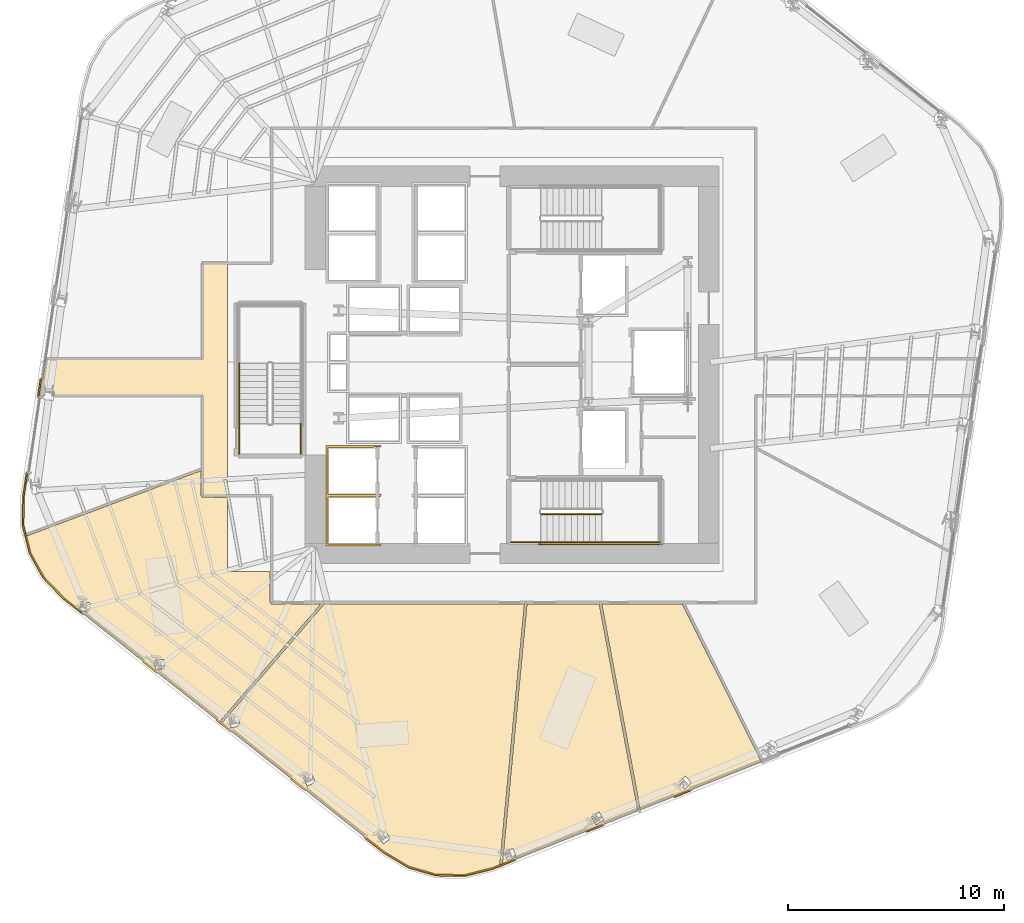
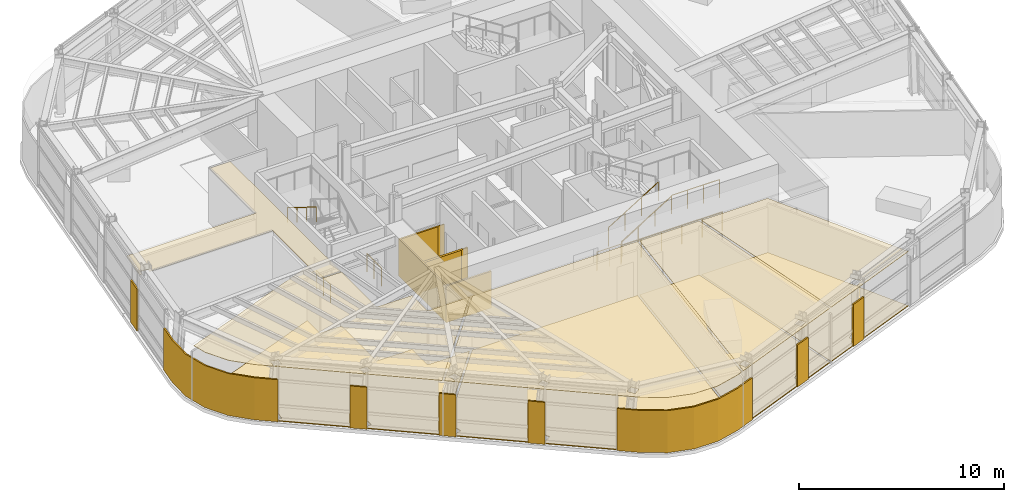
# One storey, part 11 of 17: 18 coverings, 8 railings.
"""IFC4 building model written with IfcOpenShell, lengths in metres."""

from ifc_helpers import new_model, si_unit, direction, frame, origin, origin_2d, place, context, subcontext, project, spatial, polyline, circle, outline, extrude, material, layer, layer_set, type_object, element, save


model = new_model("IFC4")

# Units and contexts
model_context = context("Model", 3, precision=1e-05, world=origin(), true_north=direction((0.0, 1.0)))
body_context = subcontext(model_context, "Body", "Model", "MODEL_VIEW")
ifc_project = project(units=[si_unit("LENGTHUNIT", "METRE"), si_unit("AREAUNIT", "SQUARE_METRE"), si_unit("VOLUMEUNIT", "CUBIC_METRE"), si_unit("PLANEANGLEUNIT", "RADIAN"), si_unit("MASSUNIT", "GRAM", prefix="KILO")], contexts=[model_context])

# Site, building, storey
site_placement = place(None, origin())
site = spatial("IfcSite", under=ifc_project, at=site_placement, CompositionType="ELEMENT")
building_placement = place(site_placement, origin())
building = spatial("IfcBuilding", under=site, at=building_placement, Name="Valkerne Bourse Tower", CompositionType="ELEMENT")
storey_placement = place(building_placement, frame((0.0, 0.0, 116.199951171875)))
storey = spatial("IfcBuildingStorey", under=building, at=storey_placement, Name="L29", CompositionType="ELEMENT", Elevation=116.199951171875)

# Coverings
ifc_material_1 = material(Name="Mineral Fiber Acoustic Ceiling Tile", Category="acoustic")
ifc_layer_1 = layer(ifc_material_1, 0.02490234375)
ifc_layer_set_1 = layer_set([ifc_layer_1], Name="Mineral Fiber Acoustic Ceiling Tile")
covering_type_1 = type_object("IfcCoveringType", Name="COV-CEIL-ACT", PredefinedType="CEILING", material=ifc_layer_set_1)
covering_1_placement = place(storey_placement, frame((0.0, 0.0, 3.22998046875)))
element("IfcCovering", 1, at=covering_1_placement, inside=storey, type_object=covering_type_1, Name="L29 Suspended Ceiling 03", PredefinedType="CEILING", context=body_context, shape_type="SweptSolid", body=[
    extrude(outline(polyline([(54.702880859375, 15.781005859375), (58.373291015625, 8.451416015625), (52.753662109375, 6.226318359375), (50.965576171875, 15.781005859375), (54.702880859375, 15.781005859375)]), holes=[polyline([(55.1259765625, 7.498046875), (54.8388671875, 7.7998046875), (54.8359375, 7.798583984375), (54.524658203125, 7.5009765625), (54.81201171875, 7.19921875), (54.814697265625, 7.2001953125), (55.1259765625, 7.498046875)])]), origin(), (0.0, 0.0, 1.0), 0.025146484375),
])
covering_2_placement = place(storey_placement, frame((0.0, 0.0, 3.22998046875)))
element("IfcCovering", 2, at=covering_2_placement, inside=storey, type_object=covering_type_1, Name="L29 Suspended Ceiling 05", PredefinedType="CEILING", context=body_context, shape_type="SweptSolid", body=[
    extrude(outline(polyline([(50.845458984375, 15.781005859375), (52.641845703125, 6.181884765625), (46.35205078125, 3.691650390625), (47.494873046875, 15.781005859375), (50.845458984375, 15.781005859375)]), holes=[polyline([(46.99609375, 4.046630859375), (46.846923828125, 4.435546875), (46.843505859375, 4.435546875), (46.442138671875, 4.2802734375), (46.59130859375, 3.89111328125), (46.5947265625, 3.89111328125), (46.99609375, 4.046630859375)]), polyline([(51.06640625, 5.768798828125), (50.8466796875, 6.122802734375), (50.843505859375, 6.122314453125), (50.478271484375, 5.89404296875), (50.697998046875, 5.5400390625), (50.701171875, 5.54052734375), (51.06640625, 5.768798828125)])]), origin(), (0.0, 0.0, 1.0), 0.025146484375),
])
covering_3_placement = place(storey_placement, frame((0.0, 0.0, 3.22998046875)))
element("IfcCovering", 3, at=covering_3_placement, inside=storey, type_object=covering_type_1, Name="L29 Suspended Ceiling 06", PredefinedType="CEILING", context=body_context, shape_type="SweptSolid", body=[
    extrude(outline(polyline([(24.4384765625, 18.146484375), (24.2431640625, 18.92431640625), (32.381103515625, 21.968994140625), (32.381103515625, 20.796630859375), (32.39404296875, 20.75927734375), (32.42626953125, 20.735107421875), (33.60009765625, 20.7333984375), (33.60009765625, 17.300048828125), (35.5810546875, 17.300048828125), (35.5810546875, 15.849365234375), (35.59814453125, 15.80419921875), (35.62109375, 15.787353515625), (35.649658203125, 15.781005859375), (37.93212890625, 15.781005859375), (33.230712890625, 10.312255859375), (26.005126953125, 16.0390625), (25.080322265625, 16.993408203125), (24.4384765625, 18.146484375)]), holes=[polyline([(30.669189453125, 12.766357421875), (30.65576171875, 13.197265625), (30.65380859375, 13.19970703125), (30.23779296875, 13.18505859375), (30.251220703125, 12.754150390625), (30.25341796875, 12.751708984375), (30.669189453125, 12.766357421875)]), polyline([(27.222900390625, 15.831298828125), (27.22119140625, 15.833984375), (26.809814453125, 15.897705078125), (26.7421875, 15.47216796875), (26.743896484375, 15.46923828125), (27.155029296875, 15.405517578125), (27.222900390625, 15.831298828125)])]), origin(), (0.0, 0.0, 1.0), 0.025146484375),
])
covering_4_placement = place(storey_placement, frame((0.0, 0.0, 3.22998046875)))
element("IfcCovering", 4, at=covering_4_placement, inside=storey, type_object=covering_type_1, Name="L29 Suspended Ceiling 09", PredefinedType="CEILING", context=body_context, shape_type="SweptSolid", body=[
    extrude(outline(polyline([(43.28662109375, 3.207763671875), (42.017578125, 3.569091796875), (40.877197265625, 4.251708984375), (33.3232421875, 10.23876953125), (38.087646484375, 15.781005859375), (47.376220703125, 15.781005859375), (46.22900390625, 3.642822265625), (45.89501953125, 3.5107421875), (44.60595703125, 3.18701171875), (43.28662109375, 3.207763671875)]), holes=[polyline([(37.492919921875, 7.9072265625), (37.490234375, 7.90869140625), (37.114501953125, 7.7294921875), (37.298583984375, 7.339599609375), (37.301513671875, 7.338134765625), (37.67724609375, 7.517578125), (37.492919921875, 7.9072265625)]), polyline([(34.07763671875, 10.5576171875), (34.0751953125, 10.5595703125), (33.6708984375, 10.460693359375), (33.771728515625, 10.04150390625), (33.774169921875, 10.03955078125), (34.1787109375, 10.138427734375), (34.07763671875, 10.5576171875)]), polyline([(40.9091796875, 5.244384765625), (40.906005859375, 5.245361328125), (40.57080078125, 4.99853515625), (40.82470703125, 4.650390625), (40.827880859375, 4.6494140625), (41.1630859375, 4.896240234375), (40.9091796875, 5.244384765625)])]), origin(), (0.0, 0.0, 1.0), 0.025146484375),
])
ifc_material_2 = material(Name="Bronze Anodised Aluminium AA 6063-T6", Category="aluminium")
ifc_layer_2 = layer(ifc_material_2, 0.030029296875)
ifc_layer_set_2 = layer_set([ifc_layer_2], Name="Bronze Anodised Aluminium AA 6063-T6")
covering_type_2 = type_object("IfcCoveringType", Name="COV-CEIL-METAL", PredefinedType="CEILING", material=ifc_layer_set_2)
covering_5_placement = place(storey_placement, frame((0.0, 0.0, 3.22998046875)))
element("IfcCovering", 5, at=covering_5_placement, inside=storey, type_object=covering_type_2, Name="L29 Suspended Ceiling 02", PredefinedType="CEILING", context=body_context, shape_type="SweptSolid", body=[
    extrude(outline(polyline([(32.4541015625, 20.803955078125), (32.4541015625, 25.4541015625), (25.5341796875, 25.4541015625), (25.549560546875, 25.644287109375), (25.54931640625, 25.647216796875), (25.11865234375, 25.681640625), (25.10009765625, 25.4541015625), (24.973388671875, 25.4541015625), (25.223388671875, 27.14599609375), (32.4541015625, 27.14599609375), (32.4541015625, 31.595947265625), (33.60009765625, 31.595947265625), (33.60009765625, 20.803955078125), (32.4541015625, 20.803955078125)])), origin(), (0.0, 0.0, 1.0), 0.025146484375),
])
ifc_layer_3 = layer(ifc_material_2, 0.06005859375)
ifc_layer_set_3 = layer_set([ifc_layer_3], Name="Bronze Anodised Aluminium AA 6063-T6")
covering_type_3 = type_object("IfcCoveringType", Name="COV-CRN-ALUM", PredefinedType="CLADDING", material=ifc_layer_set_3)
covering_6_placement = place(storey_placement, origin())
element("IfcCovering", 6, at=covering_6_placement, inside=storey, type_object=covering_type_3, Name="L29 Wind-Shaped Corner Aluminium Cladding 03", PredefinedType="CLADDING", context=body_context, shape_type="SweptSolid", body=[
    extrude(outline(polyline([(54.3427734375, 6.80810546875), (54.3134765625, 6.882568359375), (55.094482421875, 7.191650390625), (55.123779296875, 7.117431640625), (54.3427734375, 6.80810546875)])), origin(), (0.0, 0.0, 1.0), 2.5),
])
covering_7_placement = place(storey_placement, origin())
element("IfcCovering", 7, at=covering_7_placement, inside=storey, type_object=covering_type_3, Name="L29 Wind-Shaped Corner Aluminium Cladding 04", PredefinedType="CLADDING", context=body_context, shape_type="SweptSolid", body=[
    extrude(outline(polyline([(50.267578125, 5.194580078125), (50.238037109375, 5.26904296875), (51.019287109375, 5.578369140625), (51.048583984375, 5.50390625), (50.267578125, 5.194580078125)])), origin(), (0.0, 0.0, 1.0), 2.5),
])
covering_8_placement = place(storey_placement, origin())
element("IfcCovering", 8, at=covering_8_placement, inside=storey, type_object=covering_type_3, Name="L29 Wind-Shaped Corner Aluminium Cladding 05", PredefinedType="CLADDING", context=body_context, shape_type="SweptSolid", body=[
    extrude(outline(polyline([(45.90869140625, 3.46875), (44.611083984375, 3.142822265625), (43.280029296875, 3.163818359375), (42.0, 3.528564453125), (40.85205078125, 4.21533203125), (39.95458984375, 4.9267578125), (40.00439453125, 4.989501953125), (40.897705078125, 4.281494140625), (42.031982421875, 3.6025390625), (43.2919921875, 3.24365234375), (44.601806640625, 3.222900390625), (45.884033203125, 3.545166015625), (46.944091796875, 3.96484375), (46.973388671875, 3.890380859375), (45.90869140625, 3.46875)])), origin(), (0.0, 0.0, 1.0), 2.5),
])
covering_9_placement = place(storey_placement, origin())
element("IfcCovering", 9, at=covering_9_placement, inside=storey, type_object=covering_type_3, Name="L29 Wind-Shaped Corner Aluminium Cladding 06", PredefinedType="CLADDING", context=body_context, shape_type="SweptSolid", body=[
    extrude(outline(polyline([(36.519775390625, 7.6494140625), (36.5693359375, 7.7119140625), (37.2275390625, 7.190185546875), (37.177978515625, 7.12744140625), (36.519775390625, 7.6494140625)])), origin(), (0.0, 0.0, 1.0), 2.5),
])
covering_10_placement = place(storey_placement, origin())
element("IfcCovering", 10, at=covering_10_placement, inside=storey, type_object=covering_type_3, Name="L29 Wind-Shaped Corner Aluminium Cladding 07", PredefinedType="CLADDING", context=body_context, shape_type="SweptSolid", body=[
    extrude(outline(polyline([(33.084716796875, 10.371826171875), (33.134521484375, 10.4345703125), (33.792724609375, 9.91259765625), (33.742919921875, 9.85009765625), (33.084716796875, 10.371826171875)])), origin(), (0.0, 0.0, 1.0), 2.5),
])
covering_11_placement = place(storey_placement, origin())
element("IfcCovering", 11, at=covering_11_placement, inside=storey, type_object=covering_type_3, Name="L29 Wind-Shaped Corner Aluminium Cladding 08", PredefinedType="CLADDING", context=body_context, shape_type="SweptSolid", body=[
    extrude(outline(polyline([(29.64990234375, 13.09423828125), (29.699462890625, 13.156982421875), (30.35791015625, 12.63525390625), (30.30810546875, 12.572509765625), (29.64990234375, 13.09423828125)])), origin(), (0.0, 0.0, 1.0), 2.5),
])
covering_12_placement = place(storey_placement, origin())
element("IfcCovering", 12, at=covering_12_placement, inside=storey, type_object=covering_type_3, Name="L29 Wind-Shaped Corner Aluminium Cladding 09", PredefinedType="CLADDING", context=body_context, shape_type="SweptSolid", body=[
    extrude(outline(polyline([(25.9755859375, 16.00634765625), (25.044677734375, 16.967041015625), (24.397216796875, 18.130126953125), (24.072998046875, 19.421142578125), (24.093994140625, 20.7587890625), (24.261474609375, 21.8916015625), (24.340576171875, 21.880126953125), (24.174072265625, 20.752197265625), (24.1533203125, 19.430419921875), (24.472412109375, 18.159912109375), (25.109619140625, 17.01513671875), (26.029541015625, 16.06591796875), (26.9228515625, 15.357666015625), (26.873291015625, 15.294921875), (25.9755859375, 16.00634765625)])), origin(), (0.0, 0.0, 1.0), 2.5),
])
covering_13_placement = place(storey_placement, origin())
element("IfcCovering", 13, at=covering_13_placement, inside=storey, type_object=covering_type_3, Name="L29 Wind-Shaped Corner Aluminium Cladding 10", PredefinedType="CLADDING", context=body_context, shape_type="SweptSolid", body=[
    extrude(outline(polyline([(24.901611328125, 26.227783203125), (24.980712890625, 26.216064453125), (24.858154296875, 25.385009765625), (24.779052734375, 25.396728515625), (24.901611328125, 26.227783203125)])), origin(), (0.0, 0.0, 1.0), 2.5),
])
ifc_material_3 = material(Name="Galvanised Painted Steel", Category="steel")
ifc_layer_4 = layer(ifc_material_3, 0.044921875)
ifc_layer_set_4 = layer_set([ifc_layer_4], Name="Galvanised Painted Steel")
covering_type_4 = type_object("IfcCoveringType", Name="COV-FLR-RAF", PredefinedType="FLOORING", material=ifc_layer_set_4)
covering_14_placement = place(storey_placement, origin())
element("IfcCovering", 14, at=covering_14_placement, inside=storey, type_object=covering_type_4, Name="L29 Floor Finish 05", PredefinedType="FLOORING", context=body_context, shape_type="SweptSolid", body=[
    extrude(outline(polyline([(50.845458984375, 15.781005859375), (52.641845703125, 6.181884765625), (46.35205078125, 3.691650390625), (47.494873046875, 15.781005859375), (50.845458984375, 15.781005859375)]), holes=[polyline([(46.99609375, 4.046630859375), (46.846923828125, 4.435546875), (46.843505859375, 4.435546875), (46.442138671875, 4.2802734375), (46.59130859375, 3.89111328125), (46.5947265625, 3.89111328125), (46.99609375, 4.046630859375)]), polyline([(51.06640625, 5.768798828125), (50.8466796875, 6.122802734375), (50.843505859375, 6.122314453125), (50.478271484375, 5.89404296875), (50.697998046875, 5.5400390625), (50.701171875, 5.54052734375), (51.06640625, 5.768798828125)])]), origin(), (0.0, 0.0, 1.0), 0.045166015625),
])
covering_15_placement = place(storey_placement, origin())
element("IfcCovering", 15, at=covering_15_placement, inside=storey, type_object=covering_type_4, Name="L29 Floor Finish 06", PredefinedType="FLOORING", context=body_context, shape_type="SweptSolid", body=[
    extrude(outline(polyline([(24.4384765625, 18.146484375), (24.2431640625, 18.92431640625), (32.381103515625, 21.968994140625), (32.381103515625, 20.796630859375), (32.39404296875, 20.75927734375), (32.42626953125, 20.735107421875), (33.60009765625, 20.7333984375), (33.60009765625, 17.300048828125), (35.5810546875, 17.300048828125), (35.5810546875, 15.849365234375), (35.59814453125, 15.80419921875), (35.62109375, 15.787353515625), (35.649658203125, 15.781005859375), (37.93212890625, 15.781005859375), (33.230712890625, 10.312255859375), (26.005126953125, 16.0390625), (25.080322265625, 16.993408203125), (24.4384765625, 18.146484375)]), holes=[polyline([(30.669189453125, 12.766357421875), (30.65576171875, 13.197265625), (30.65380859375, 13.19970703125), (30.23779296875, 13.18505859375), (30.251220703125, 12.754150390625), (30.25341796875, 12.751708984375), (30.669189453125, 12.766357421875)]), polyline([(27.222900390625, 15.831298828125), (27.22119140625, 15.833984375), (26.809814453125, 15.897705078125), (26.7421875, 15.47216796875), (26.743896484375, 15.46923828125), (27.155029296875, 15.405517578125), (27.222900390625, 15.831298828125)])]), origin(), (0.0, 0.0, 1.0), 0.045166015625),
])
covering_16_placement = place(storey_placement, origin())
element("IfcCovering", 16, at=covering_16_placement, inside=storey, type_object=covering_type_4, Name="L29 Floor Finish 09", PredefinedType="FLOORING", context=body_context, shape_type="SweptSolid", body=[
    extrude(outline(polyline([(43.28662109375, 3.207763671875), (42.017578125, 3.569091796875), (40.877197265625, 4.251708984375), (33.3232421875, 10.23876953125), (38.087646484375, 15.781005859375), (47.376220703125, 15.781005859375), (46.22900390625, 3.642822265625), (45.89501953125, 3.5107421875), (44.60595703125, 3.18701171875), (43.28662109375, 3.207763671875)]), holes=[polyline([(37.492919921875, 7.9072265625), (37.490234375, 7.90869140625), (37.114501953125, 7.7294921875), (37.298583984375, 7.339599609375), (37.301513671875, 7.338134765625), (37.67724609375, 7.517578125), (37.492919921875, 7.9072265625)]), polyline([(34.07763671875, 10.5576171875), (34.0751953125, 10.5595703125), (33.6708984375, 10.460693359375), (33.771728515625, 10.04150390625), (33.774169921875, 10.03955078125), (34.1787109375, 10.138427734375), (34.07763671875, 10.5576171875)]), polyline([(40.9091796875, 5.244384765625), (40.906005859375, 5.245361328125), (40.57080078125, 4.99853515625), (40.82470703125, 4.650390625), (40.827880859375, 4.6494140625), (41.1630859375, 4.896240234375), (40.9091796875, 5.244384765625)])]), origin(), (0.0, 0.0, 1.0), 0.045166015625),
])
ifc_material_4 = material(Name="Polished Granite Stone", Category="masonry")
ifc_layer_5 = layer(ifc_material_4, 0.030029296875)
ifc_layer_set_5 = layer_set([ifc_layer_5], Name="Polished Granite Stone")
covering_type_5 = type_object("IfcCoveringType", Name="COV-FLR-TERRAZZO", PredefinedType="FLOORING", material=ifc_layer_set_5)
covering_17_placement = place(storey_placement, origin())
element("IfcCovering", 17, at=covering_17_placement, inside=storey, type_object=covering_type_5, Name="L29 Floor Finish 03", PredefinedType="FLOORING", context=body_context, shape_type="SweptSolid", body=[
    extrude(outline(polyline([(54.702880859375, 15.781005859375), (58.373291015625, 8.451416015625), (52.753662109375, 6.226318359375), (50.965576171875, 15.781005859375), (54.702880859375, 15.781005859375)]), holes=[polyline([(55.1259765625, 7.498046875), (54.8388671875, 7.7998046875), (54.8359375, 7.798583984375), (54.524658203125, 7.5009765625), (54.81201171875, 7.19921875), (54.814697265625, 7.2001953125), (55.1259765625, 7.498046875)])]), origin(), (0.0, 0.0, 1.0), 0.030029296875),
])
ifc_material_5 = material(Name="Gypsum Shaftwall Liner Board", Category="gypsum")
ifc_layer_6 = layer(ifc_material_5, 0.080078125)
ifc_layer_set_6 = layer_set([ifc_layer_6], Name="Gypsum Shaftwall Liner Board")
covering_type_6 = type_object("IfcCoveringType", Name="COV-SHF-CLAD", PredefinedType="CLADDING", material=ifc_layer_set_6)
covering_18_placement = place(storey_placement, origin())
element("IfcCovering", 18, at=covering_18_placement, inside=storey, type_object=covering_type_6, Name="L29 Hoistway & Riser Shaftwall Liner 01", PredefinedType="CLADDING", context=body_context, shape_type="SweptSolid", body=[
    extrude(outline(polyline([(38.169921875, 23.1298828125), (40.72998046875, 23.1298828125), (40.72998046875, 23.052001953125), (40.72216796875, 23.0556640625), (40.6806640625, 23.070556640625), (40.6376953125, 23.081298828125), (40.593994140625, 23.087890625), (40.550048828125, 23.090087890625), (40.505859375, 23.087890625), (40.462158203125, 23.081298828125), (40.41943359375, 23.070556640625), (40.377685546875, 23.0556640625), (40.344482421875, 23.0400390625), (38.260009765625, 23.0400390625), (38.260009765625, 20.860107421875), (40.456787109375, 20.860107421875), (40.462158203125, 20.858642578125), (40.505859375, 20.852294921875), (40.550048828125, 20.85009765625), (40.593994140625, 20.852294921875), (40.6376953125, 20.858642578125), (40.6806640625, 20.869384765625), (40.72216796875, 20.88427734375), (40.72998046875, 20.887939453125), (40.72998046875, 20.830078125), (40.72998046875, 20.77001953125), (40.72998046875, 20.752197265625), (40.72216796875, 20.755615234375), (40.6806640625, 20.7705078125), (40.6376953125, 20.781494140625), (40.593994140625, 20.787841796875), (40.550048828125, 20.7900390625), (40.505859375, 20.787841796875), (40.462158203125, 20.781494140625), (40.41943359375, 20.7705078125), (40.377685546875, 20.755615234375), (40.344482421875, 20.739990234375), (38.260009765625, 20.739990234375), (38.260009765625, 18.56005859375), (40.456787109375, 18.56005859375), (40.462158203125, 18.55859375), (40.505859375, 18.55224609375), (40.550048828125, 18.550048828125), (40.593994140625, 18.55224609375), (40.6376953125, 18.55859375), (40.6806640625, 18.5693359375), (40.72216796875, 18.584228515625), (40.72998046875, 18.587890625), (40.72998046875, 18.469970703125), (38.169921875, 18.469970703125), (38.169921875, 20.77001953125), (38.169921875, 20.830078125), (38.169921875, 23.1298828125)])), origin(), (0.0, 0.0, 1.0), 2.179931640625),
])

# Railings
railing_type_1 = type_object("IfcRailingType", Name="RLG-ST-GUARD-1120", PredefinedType="GUARDRAIL", material=ifc_material_3)
railing_1_placement = place(storey_placement, frame((48.14990234375, 19.949951171875, 0.1728515625)))
element("IfcRailing", 19, at=railing_1_placement, inside=storey, type_object=railing_type_1, Name="L29 ST-1 stair guard 1", PredefinedType="GUARDRAIL", context=body_context, shape_type="SweptSolid", body=[
    extrude(circle(Radius=0.02392578125, at=origin_2d()), frame((0.0, 0.0, 1.09619140625), z_axis=(0.851089632645, 0.0, 0.525020415988), x_axis=(0.0, 1.0, 0.0)), (0.0, 0.0, 1.0), 3.2900390625),
    extrude(circle(Radius=0.02099609375, at=origin_2d()), origin(), (0.0, 0.0, 1.0), 1.072021484375),
    extrude(circle(Radius=0.02099609375, at=origin_2d()), frame((0.933349609375, 0.0, 0.57568359375)), (0.0, 0.0, 1.0), 1.072021484375),
    extrude(circle(Radius=0.02099609375, at=origin_2d()), frame((1.86669921875, 0.0, 1.151611328125)), (0.0, 0.0, 1.0), 1.072021484375),
    extrude(circle(Radius=0.02099609375, at=origin_2d()), frame((2.800048828125, 0.0, 1.727294921875)), (0.0, 0.0, 1.0), 1.072021484375),
])
railing_2_placement = place(storey_placement, frame((50.949951171875, 18.64990234375, 1.900146484375)))
element("IfcRailing", 20, at=railing_2_placement, inside=storey, type_object=railing_type_1, Name="L29 ST-1 stair guard 3", PredefinedType="GUARDRAIL", context=body_context, shape_type="SweptSolid", body=[
    extrude(circle(Radius=0.02392578125, at=origin_2d()), frame((0.0, 0.0, 1.09619140625), z_axis=(1.0, 0.0, 0.0), x_axis=(0.0, 1.0, 0.0)), (0.0, 0.0, 1.0), 2.699951171875),
    extrude(circle(Radius=0.02099609375, at=origin_2d()), origin(), (0.0, 0.0, 1.0), 1.072021484375),
    extrude(circle(Radius=0.02099609375, at=origin_2d()), frame((0.89990234375, 0.0, 0.0)), (0.0, 0.0, 1.0), 1.072021484375),
    extrude(circle(Radius=0.02099609375, at=origin_2d()), frame((1.800048828125, 0.0, 0.0)), (0.0, 0.0, 1.0), 1.072021484375),
    extrude(circle(Radius=0.02099609375, at=origin_2d()), frame((2.699951171875, 0.0, 0.0)), (0.0, 0.0, 1.0), 1.072021484375),
])
railing_3_placement = place(storey_placement, frame((46.75, 18.64990234375, 0.0)))
element("IfcRailing", 21, at=railing_3_placement, inside=storey, type_object=railing_type_1, Name="L29 ST-1 stair guard 8", PredefinedType="GUARDRAIL", context=body_context, shape_type="SweptSolid", body=[
    extrude(circle(Radius=0.02392578125, at=origin_2d()), frame((0.0, 0.0, 1.09619140625), z_axis=(1.0, 0.0, 0.0), x_axis=(0.0, 1.0, 0.0)), (0.0, 0.0, 1.0), 1.39990234375),
    extrude(circle(Radius=0.02099609375, at=origin_2d()), origin(), (0.0, 0.0, 1.0), 1.072021484375),
    extrude(circle(Radius=0.02099609375, at=origin_2d()), frame((0.699951171875, 0.0, 0.0)), (0.0, 0.0, 1.0), 1.072021484375),
    extrude(circle(Radius=0.02099609375, at=origin_2d()), frame((1.39990234375, 0.0, 0.0)), (0.0, 0.0, 1.0), 1.072021484375),
])
railing_4_placement = place(storey_placement, frame((48.050048828125, 18.550048828125, 0.0)))
element("IfcRailing", 22, at=railing_4_placement, inside=storey, type_object=railing_type_1, Name="L29 ST-1 stair guard 10", PredefinedType="GUARDRAIL", context=body_context, shape_type="SweptSolid", body=[
    extrude(circle(Radius=0.02392578125, at=origin_2d()), frame((0.0, 0.0, 1.09619140625), z_axis=(1.0, 0.0, 0.0), x_axis=(0.0, 1.0, 0.0)), (0.0, 0.0, 1.0), 5.699951171875),
    extrude(circle(Radius=0.02099609375, at=origin_2d()), origin(), (0.0, 0.0, 1.0), 1.072021484375),
    extrude(circle(Radius=0.02099609375, at=origin_2d()), frame((1.139892578125, 0.0, 0.0)), (0.0, 0.0, 1.0), 1.072021484375),
    extrude(circle(Radius=0.02099609375, at=origin_2d()), frame((2.280029296875, 0.0, 0.0)), (0.0, 0.0, 1.0), 1.072021484375),
    extrude(circle(Radius=0.02099609375, at=origin_2d()), frame((3.419921875, 0.0, 0.0)), (0.0, 0.0, 1.0), 1.072021484375),
    extrude(circle(Radius=0.02099609375, at=origin_2d()), frame((4.56005859375, 0.0, 0.0)), (0.0, 0.0, 1.0), 1.072021484375),
    extrude(circle(Radius=0.02099609375, at=origin_2d()), frame((5.699951171875, 0.0, 0.0)), (0.0, 0.0, 1.0), 1.072021484375),
])
for number, where, name in (
    (23, (37.0, 22.75, 0.0), "L29 ST-3 stair guard 8"),
    (24, (34.14990234375, 22.75, 0.0), "L29 ST-3 stair guard 9"),
):
    element("IfcRailing", number, at=place(storey_placement, frame(where)), inside=storey, type_object=railing_type_1, Name=name, PredefinedType="GUARDRAIL", context=body_context, shape_type="SweptSolid", body=[
        extrude(circle(Radius=0.02392578125, at=origin_2d()), frame((0.0, 0.0, 1.09619140625), z_axis=(0.0, 1.0, 0.0), x_axis=(-1.0, 0.0, 0.0)), (0.0, 0.0, 1.0), 1.39990234375),
        extrude(circle(Radius=0.02099609375, at=origin_2d()), origin(), (0.0, 0.0, 1.0), 1.072021484375),
        extrude(circle(Radius=0.02099609375, at=origin_2d()), frame((0.0, 0.699951171875, 0.0)), (0.0, 0.0, 1.0), 1.072021484375),
        extrude(circle(Radius=0.02099609375, at=origin_2d()), frame((0.0, 1.39990234375, 0.0)), (0.0, 0.0, 1.0), 1.072021484375),
    ])
ifc_material_6 = material(Name="Stainless Steel AISI 316", Category="steel")
railing_type_2 = type_object("IfcRailingType", Name="RLG-ST-HANDRAIL-900", PredefinedType="HANDRAIL", material=ifc_material_6)
railing_5_placement = place(storey_placement, frame((48.14990234375, 18.64990234375, 0.345458984375)))
element("IfcRailing", 25, at=railing_5_placement, inside=storey, type_object=railing_type_2, Name="L29 ST-1 stair handrail 1", PredefinedType="HANDRAIL", context=body_context, shape_type="SweptSolid", body=[
    extrude(circle(Radius=0.02392578125, at=origin_2d()), frame((0.0, 0.0, 0.8759765625), z_axis=(0.851089632645, 0.0, 0.525020415988), x_axis=(0.0, 1.0, 0.0)), (0.0, 0.0, 1.0), 3.2900390625),
    extrude(circle(Radius=0.02099609375, at=origin_2d()), origin(), (0.0, 0.0, 1.0), 0.851806640625),
    extrude(circle(Radius=0.02099609375, at=origin_2d()), frame((0.933349609375, 0.0, 0.57568359375)), (0.0, 0.0, 1.0), 0.851806640625),
    extrude(circle(Radius=0.02099609375, at=origin_2d()), frame((1.86669921875, 0.0, 1.151611328125)), (0.0, 0.0, 1.0), 0.851806640625),
    extrude(circle(Radius=0.02099609375, at=origin_2d()), frame((2.800048828125, 0.0, 1.727294921875)), (0.0, 0.0, 1.0), 0.851806640625),
])
railing_6_placement = place(storey_placement, frame((34.14990234375, 26.949951171875, 2.24560546875)))
element("IfcRailing", 26, at=railing_6_placement, inside=storey, type_object=railing_type_2, Name="L29 ST-3 stair handrail 2", PredefinedType="HANDRAIL", context=body_context, shape_type="SweptSolid", body=[
    extrude(circle(Radius=0.02392578125, at=origin_2d()), frame((0.0, 0.0, 0.8759765625), z_axis=(0.0, -0.851122791225, 0.524966660138), x_axis=(1.0, 0.0, 0.0)), (0.0, 0.0, 1.0), 3.289794921875),
    extrude(circle(Radius=0.02099609375, at=origin_2d()), origin(), (0.0, 0.0, 1.0), 0.851806640625),
    extrude(circle(Radius=0.02099609375, at=origin_2d()), frame((0.0, -0.933349609375, 0.57568359375)), (0.0, 0.0, 1.0), 0.851806640625),
    extrude(circle(Radius=0.02099609375, at=origin_2d()), frame((0.0, -1.86669921875, 1.1513671875)), (0.0, 0.0, 1.0), 0.851806640625),
    extrude(circle(Radius=0.02099609375, at=origin_2d()), frame((0.0, -2.800048828125, 1.72705078125)), (0.0, 0.0, 1.0), 0.851806640625),
])

save(model, "model.ifc")
